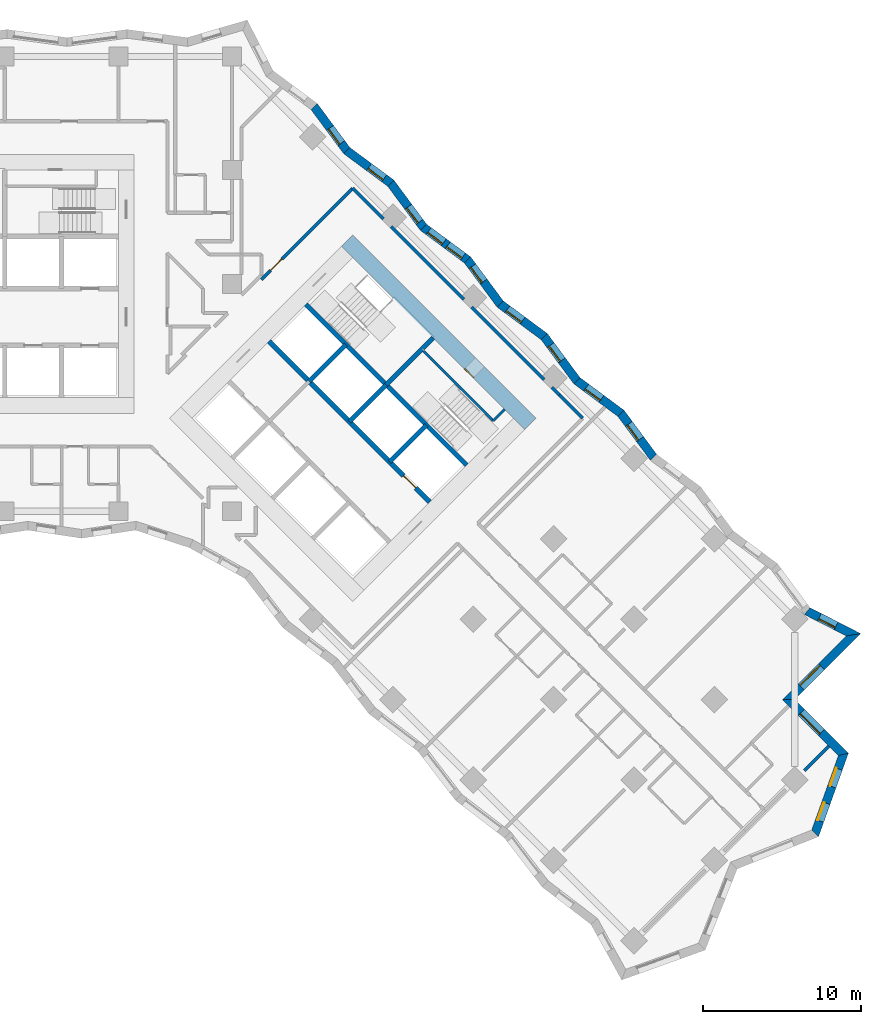
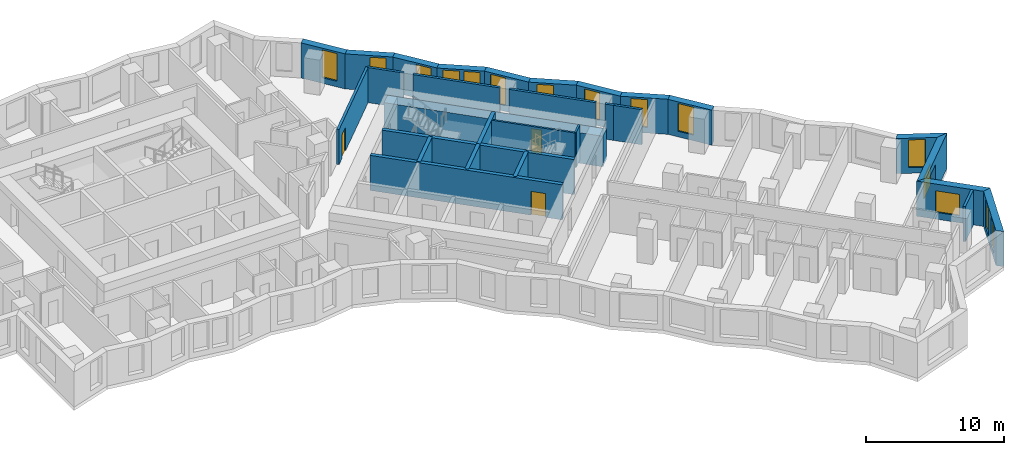
# One storey, part 9 of 12: 30 walls, 15 windows, 3 doors, 18 openings.
"""IFC4 building model written with IfcOpenShell, lengths in metres."""

from ifc_helpers import new_model, si_unit, direction, frame, frame_2d, origin, place, context, subcontext, project, spatial, polyline, rectangle, outline, extrude, material, layer, layer_set, type_object, element, fill, save


model = new_model("IFC4")

# Units and contexts
model_context = context("Model", 3, precision=1e-05, world=origin(), true_north=direction((0.0, 1.0)))
body_context = subcontext(model_context, "Body", "Model", "MODEL_VIEW")
ifc_project = project(units=[si_unit("LENGTHUNIT", "METRE"), si_unit("AREAUNIT", "SQUARE_METRE"), si_unit("VOLUMEUNIT", "CUBIC_METRE"), si_unit("PLANEANGLEUNIT", "RADIAN"), si_unit("MASSUNIT", "GRAM", prefix="KILO")], contexts=[model_context])

# Site, building, storey
site_placement = place(None, origin())
site = spatial("IfcSite", under=ifc_project, at=site_placement, CompositionType="ELEMENT")
building_placement = place(site_placement, origin())
building = spatial("IfcBuilding", under=site, at=building_placement, Name="Windrow Commons", CompositionType="ELEMENT")
storey_placement = place(building_placement, frame((0.0, 0.0, 50.8)))
storey = spatial("IfcBuildingStorey", under=building, at=storey_placement, Name="L13", CompositionType="ELEMENT", Elevation=50.8)

# Wall, openings, windows
ifc_material_1 = material(Name="Brick masonry, red clay brick", Category="masonry")
ifc_layer_1 = layer(ifc_material_1, 0.55)
ifc_layer_set_1 = layer_set([ifc_layer_1], Name="Brick facade wall 550")
wall_type_1 = type_object("IfcWallType", Name="Brick facade wall 550", PredefinedType="SOLIDWALL", material=ifc_layer_set_1)
wall_1_placement = place(storey_placement, frame((116.1217, 22.7987, 0.0), z_axis=(0.0, 0.0, 1.0), x_axis=(0.3371641743, 0.9414458665, 0.0)))
wall_1 = element("IfcWall", 1, at=wall_1_placement, inside=storey, type_object=wall_type_1, Name="Brick facade wall L13 4", PredefinedType="SOLIDWALL", context=body_context, shape_type="SweptSolid", body=[
    extrude(outline(polyline([(-0.1245, -0.275), (5.4921, -0.275), (5.1437, 0.275), (0.1245, 0.275), (-0.1245, -0.275)])), origin(), (0.0, 0.0, 1.0), 3.1),
])
opening_1_placement = place(wall_1_placement, frame((0.8376, 0.0, 0.5)))
opening_1 = element("IfcOpeningElement", 2, at=opening_1_placement, cuts=wall_1, Name="Opening W7D", PredefinedType="OPENING", context=body_context, shape_type="SweptSolid", body=[
    extrude(rectangle(XDim=1.2, YDim=2.45, at=frame_2d((0.6, 1.225))), frame((0.0, 0.285, 0.0), z_axis=(0.0, -1.0, 0.0), x_axis=(1.0, 0.0, 0.0)), (0.0, 0.0, 1.0), 0.57),
])
opening_2_placement = place(wall_1_placement, frame((3.1472, 0.0, 0.5)))
opening_2 = element("IfcOpeningElement", 3, at=opening_2_placement, cuts=wall_1, Name="Opening W7D", PredefinedType="OPENING", context=body_context, shape_type="SweptSolid", body=[
    extrude(rectangle(XDim=1.2, YDim=2.45, at=frame_2d((0.6, 1.225))), frame((0.0, 0.285, 0.0), z_axis=(0.0, -1.0, 0.0), x_axis=(1.0, 0.0, 0.0)), (0.0, 0.0, 1.0), 0.57),
])
ifc_material_2 = material(Name="Clear float glass in anodised aluminium frame", Category="aluminium")
window_type_1 = type_object("IfcWindowType", Name="Window W7 notch 1200x2450", PartitioningType="SINGLE_PANEL", PredefinedType="WINDOW", material=ifc_material_2)
window_1_placement = place(opening_1_placement, origin())
window_1 = element("IfcWindow", 4, at=window_1_placement, inside=storey, type_object=window_type_1, Name="Window L13 4.1", OverallHeight=2.45, OverallWidth=1.2, PartitioningType="SINGLE_PANEL", PredefinedType="WINDOW", context=body_context, shape_type="SweptSolid", body=[
    extrude(rectangle(XDim=1.2, YDim=2.45, at=frame_2d((0.6, 1.225))), frame((0.0, 0.155, 0.0), z_axis=(0.0, -1.0, 0.0), x_axis=(1.0, 0.0, 0.0)), (0.0, 0.0, 1.0), 0.06),
])
fill(opening_1, window_1)
window_2_placement = place(opening_2_placement, origin())
window_2 = element("IfcWindow", 5, at=window_2_placement, inside=storey, type_object=window_type_1, Name="Window L13 4.2", OverallHeight=2.45, OverallWidth=1.2, PartitioningType="SINGLE_PANEL", PredefinedType="WINDOW", context=body_context, shape_type="SweptSolid", body=[
    extrude(rectangle(XDim=1.2, YDim=2.45, at=frame_2d((0.6, 1.225))), frame((0.0, 0.155, 0.0), z_axis=(0.0, -1.0, 0.0), x_axis=(1.0, 0.0, 0.0)), (0.0, 0.0, 1.0), 0.06),
])
fill(opening_2, window_2)

# Wall, opening, window
wall_2_placement = place(storey_placement, frame((117.9147, 27.8052, 0.0), z_axis=(0.0, 0.0, 1.0), x_axis=(-0.7071067812, 0.7071067812, 0.0)))
wall_2 = element("IfcWall", 6, at=wall_2_placement, inside=storey, type_object=wall_type_1, Name="Brick facade wall L13 5", PredefinedType="SOLIDWALL", context=body_context, shape_type="SweptSolid", body=[
    extrude(outline(polyline([(-0.1742, -0.275), (4.6258, -0.275), (5.1758, 0.275), (0.1742, 0.275), (-0.1742, -0.275)])), origin(), (0.0, 0.0, 1.0), 3.1),
])
opening_3_placement = place(wall_2_placement, frame((1.9633, 0.0, 0.6)))
opening_3 = element("IfcOpeningElement", 7, at=opening_3_placement, cuts=wall_2, Name="Opening W1L", PredefinedType="OPENING", context=body_context, shape_type="SweptSolid", body=[
    extrude(rectangle(XDim=1.8, YDim=1.9, at=frame_2d((0.9, 0.95))), frame((0.0, 0.285, 0.0), z_axis=(0.0, -1.0, 0.0), x_axis=(1.0, 0.0, 0.0)), (0.0, 0.0, 1.0), 0.57),
])
ifc_material_3 = material(Name="Clear float glass in anodised aluminium frame", Category="aluminium")
window_type_2 = type_object("IfcWindowType", Name="Window W1L bedroom 1800x1900", PartitioningType="SINGLE_PANEL", PredefinedType="WINDOW", material=ifc_material_3)
window_3_placement = place(opening_3_placement, origin())
window_3 = element("IfcWindow", 8, at=window_3_placement, inside=storey, type_object=window_type_2, Name="Window L13 5.1", OverallHeight=1.9, OverallWidth=1.8, PartitioningType="SINGLE_PANEL", PredefinedType="WINDOW", context=body_context, shape_type="SweptSolid", body=[
    extrude(rectangle(XDim=1.8, YDim=1.9, at=frame_2d((0.9, 0.95))), frame((0.0, 0.155, 0.0), z_axis=(0.0, -1.0, 0.0), x_axis=(1.0, 0.0, 0.0)), (0.0, 0.0, 1.0), 0.06),
])
fill(opening_3, window_3)

wall_3_placement = place(storey_placement, frame((114.4493, 31.2706, 0.0), z_axis=(0.0, 0.0, 1.0), x_axis=(0.7070981737, 0.7071153885, 0.0)))
wall_3 = element("IfcWall", 9, at=wall_3_placement, inside=storey, type_object=wall_type_1, Name="Brick facade wall L13 6", PredefinedType="SOLIDWALL", context=body_context, shape_type="SweptSolid", body=[
    extrude(outline(polyline([(0.275, -0.275), (6.187, -0.275), (5.4309, 0.275), (-0.275, 0.275), (0.275, -0.275)])), origin(), (0.0, 0.0, 1.0), 3.1),
])
opening_4_placement = place(wall_3_placement, frame((1.1375, 0.0, 0.6)))
opening_4 = element("IfcOpeningElement", 10, at=opening_4_placement, cuts=wall_3, Name="Opening W1L", PredefinedType="OPENING", context=body_context, shape_type="SweptSolid", body=[
    extrude(rectangle(XDim=1.8, YDim=1.9, at=frame_2d((0.9, 0.95))), frame((0.0, 0.285, 0.0), z_axis=(0.0, -1.0, 0.0), x_axis=(1.0, 0.0, 0.0)), (0.0, 0.0, 1.0), 0.57),
])
window_4_placement = place(opening_4_placement, origin())
window_4 = element("IfcWindow", 11, at=window_4_placement, inside=storey, type_object=window_type_2, Name="Window L13 6.1", OverallHeight=1.9, OverallWidth=1.8, PartitioningType="SINGLE_PANEL", PredefinedType="WINDOW", context=body_context, shape_type="SweptSolid", body=[
    extrude(rectangle(XDim=1.8, YDim=1.9, at=frame_2d((0.9, 0.95))), frame((0.0, 0.155, 0.0), z_axis=(0.0, -1.0, 0.0), x_axis=(1.0, 0.0, 0.0)), (0.0, 0.0, 1.0), 0.06),
])
fill(opening_4, window_4)

wall_4_placement = place(storey_placement, frame((118.5568, 35.3782, 0.0), z_axis=(0.0, 0.0, 1.0), x_axis=(-0.8905171602, 0.4549496538, 0.0)))
wall_4 = element("IfcWall", 12, at=wall_4_placement, inside=storey, type_object=wall_type_1, Name="Brick facade wall L13 7", PredefinedType="SOLIDWALL", context=body_context, shape_type="SweptSolid", body=[
    extrude(outline(polyline([(-0.3781, -0.275), (3.2323, -0.275), (3.3614, 0.275), (0.3781, 0.275), (-0.3781, -0.275)])), origin(), (0.0, 0.0, 1.0), 3.1),
])
opening_5_placement = place(wall_4_placement, frame((1.2375, 0.0, 0.5)))
opening_5 = element("IfcOpeningElement", 13, at=opening_5_placement, cuts=wall_4, Name="Opening W7D", PredefinedType="OPENING", context=body_context, shape_type="SweptSolid", body=[
    extrude(rectangle(XDim=1.2, YDim=2.45, at=frame_2d((0.6, 1.225))), frame((0.0, 0.285, 0.0), z_axis=(0.0, -1.0, 0.0), x_axis=(1.0, 0.0, 0.0)), (0.0, 0.0, 1.0), 0.57),
])
window_5_placement = place(opening_5_placement, origin())
window_5 = element("IfcWindow", 14, at=window_5_placement, inside=storey, type_object=window_type_1, Name="Window L13 7.1", OverallHeight=2.45, OverallWidth=1.2, PartitioningType="SINGLE_PANEL", PredefinedType="WINDOW", context=body_context, shape_type="SweptSolid", body=[
    extrude(rectangle(XDim=1.2, YDim=2.45, at=frame_2d((0.6, 1.225))), frame((0.0, 0.155, 0.0), z_axis=(0.0, -1.0, 0.0), x_axis=(1.0, 0.0, 0.0)), (0.0, 0.0, 1.0), 0.06),
])
fill(opening_5, window_5)

wall_5_placement = place(storey_placement, frame((105.8917, 46.6122, 0.0), z_axis=(0.0, 0.0, 1.0), x_axis=(-0.5951283843, 0.8036306404, 0.0)))
wall_5 = element("IfcWall", 15, at=wall_5_placement, inside=storey, type_object=wall_type_1, Name="Brick facade wall L13 12", PredefinedType="SOLIDWALL", context=body_context, shape_type="SweptSolid", body=[
    extrude(outline(polyline([(0.041, -0.275), (3.5138, -0.275), (3.4318, 0.275), (-0.041, 0.275), (0.041, -0.275)])), origin(), (0.0, 0.0, 1.0), 3.1),
])
opening_6_placement = place(wall_5_placement, frame((1.4333, 0.0, 0.5)))
opening_6 = element("IfcOpeningElement", 16, at=opening_6_placement, cuts=wall_5, Name="Opening W7D", PredefinedType="OPENING", context=body_context, shape_type="SweptSolid", body=[
    extrude(rectangle(XDim=1.2, YDim=2.45, at=frame_2d((0.6, 1.225))), frame((0.0, 0.285, 0.0), z_axis=(0.0, -1.0, 0.0), x_axis=(1.0, 0.0, 0.0)), (0.0, 0.0, 1.0), 0.57),
])
window_6_placement = place(opening_6_placement, origin())
window_6 = element("IfcWindow", 17, at=window_6_placement, inside=storey, type_object=window_type_1, Name="Window L13 12.1", OverallHeight=2.45, OverallWidth=1.2, PartitioningType="SINGLE_PANEL", PredefinedType="WINDOW", context=body_context, shape_type="SweptSolid", body=[
    extrude(rectangle(XDim=1.2, YDim=2.45, at=frame_2d((0.6, 1.225))), frame((0.0, 0.155, 0.0), z_axis=(0.0, -1.0, 0.0), x_axis=(1.0, 0.0, 0.0)), (0.0, 0.0, 1.0), 0.06),
])
fill(opening_6, window_6)

wall_6_placement = place(storey_placement, frame((103.8249, 49.4031, 0.0), z_axis=(0.0, 0.0, 1.0), x_axis=(-0.8036444119, 0.5951097875, 0.0)))
wall_6 = element("IfcWall", 18, at=wall_6_placement, inside=storey, type_object=wall_type_1, Name="Brick facade wall L13 13", PredefinedType="SOLIDWALL", context=body_context, shape_type="SweptSolid", body=[
    extrude(outline(polyline([(-0.041, -0.275), (3.4318, -0.275), (3.5138, 0.275), (0.041, 0.275), (-0.041, -0.275)])), origin(), (0.0, 0.0, 1.0), 3.1),
])
opening_7_placement = place(wall_6_placement, frame((1.5373, 0.0, 0.5)))
opening_7 = element("IfcOpeningElement", 19, at=opening_7_placement, cuts=wall_6, Name="Opening W7D", PredefinedType="OPENING", context=body_context, shape_type="SweptSolid", body=[
    extrude(rectangle(XDim=1.2, YDim=2.45, at=frame_2d((0.6, 1.225))), frame((0.0, 0.285, 0.0), z_axis=(0.0, -1.0, 0.0), x_axis=(1.0, 0.0, 0.0)), (0.0, 0.0, 1.0), 0.57),
])
window_7_placement = place(opening_7_placement, origin())
window_7 = element("IfcWindow", 20, at=window_7_placement, inside=storey, type_object=window_type_1, Name="Window L13 13.1", OverallHeight=2.45, OverallWidth=1.2, PartitioningType="SINGLE_PANEL", PredefinedType="WINDOW", context=body_context, shape_type="SweptSolid", body=[
    extrude(rectangle(XDim=1.2, YDim=2.45, at=frame_2d((0.6, 1.225))), frame((0.0, 0.155, 0.0), z_axis=(0.0, -1.0, 0.0), x_axis=(1.0, 0.0, 0.0)), (0.0, 0.0, 1.0), 0.06),
])
fill(opening_7, window_7)

wall_7_placement = place(storey_placement, frame((101.034, 51.4698, 0.0), z_axis=(0.0, 0.0, 1.0), x_axis=(-0.5951097875, 0.8036444119, 0.0)))
wall_7 = element("IfcWall", 21, at=wall_7_placement, inside=storey, type_object=wall_type_1, Name="Brick facade wall L13 14", PredefinedType="SOLIDWALL", context=body_context, shape_type="SweptSolid", body=[
    extrude(outline(polyline([(0.041, -0.275), (3.5138, -0.275), (3.4318, 0.275), (-0.041, 0.275), (0.041, -0.275)])), origin(), (0.0, 0.0, 1.0), 3.1),
])
opening_8_placement = place(wall_7_placement, frame((1.6003, 0.0, 0.5)))
opening_8 = element("IfcOpeningElement", 22, at=opening_8_placement, cuts=wall_7, Name="Opening W7D", PredefinedType="OPENING", context=body_context, shape_type="SweptSolid", body=[
    extrude(rectangle(XDim=1.2, YDim=2.45, at=frame_2d((0.6, 1.225))), frame((0.0, 0.285, 0.0), z_axis=(0.0, -1.0, 0.0), x_axis=(1.0, 0.0, 0.0)), (0.0, 0.0, 1.0), 0.57),
])
window_8_placement = place(opening_8_placement, origin())
window_8 = element("IfcWindow", 23, at=window_8_placement, inside=storey, type_object=window_type_1, Name="Window L13 14.1", OverallHeight=2.45, OverallWidth=1.2, PartitioningType="SINGLE_PANEL", PredefinedType="WINDOW", context=body_context, shape_type="SweptSolid", body=[
    extrude(rectangle(XDim=1.2, YDim=2.45, at=frame_2d((0.6, 1.225))), frame((0.0, 0.155, 0.0), z_axis=(0.0, -1.0, 0.0), x_axis=(1.0, 0.0, 0.0)), (0.0, 0.0, 1.0), 0.06),
])
fill(opening_8, window_8)

wall_8_placement = place(storey_placement, frame((98.9673, 54.2607, 0.0), z_axis=(0.0, 0.0, 1.0), x_axis=(-0.8036306404, 0.5951283843, 0.0)))
wall_8 = element("IfcWall", 24, at=wall_8_placement, inside=storey, type_object=wall_type_1, Name="Brick facade wall L13 15", PredefinedType="SOLIDWALL", context=body_context, shape_type="SweptSolid", body=[
    extrude(outline(polyline([(-0.041, -0.275), (3.4318, -0.275), (3.5138, 0.275), (0.041, 0.275), (-0.041, -0.275)])), origin(), (0.0, 0.0, 1.0), 3.1),
])
opening_9_placement = place(wall_8_placement, frame((1.7043, 0.0, 0.5)))
opening_9 = element("IfcOpeningElement", 25, at=opening_9_placement, cuts=wall_8, Name="Opening W7D", PredefinedType="OPENING", context=body_context, shape_type="SweptSolid", body=[
    extrude(rectangle(XDim=1.2, YDim=2.45, at=frame_2d((0.6, 1.225))), frame((0.0, 0.285, 0.0), z_axis=(0.0, -1.0, 0.0), x_axis=(1.0, 0.0, 0.0)), (0.0, 0.0, 1.0), 0.57),
])
window_9_placement = place(opening_9_placement, origin())
window_9 = element("IfcWindow", 26, at=window_9_placement, inside=storey, type_object=window_type_1, Name="Window L13 15.1", OverallHeight=2.45, OverallWidth=1.2, PartitioningType="SINGLE_PANEL", PredefinedType="WINDOW", context=body_context, shape_type="SweptSolid", body=[
    extrude(rectangle(XDim=1.2, YDim=2.45, at=frame_2d((0.6, 1.225))), frame((0.0, 0.155, 0.0), z_axis=(0.0, -1.0, 0.0), x_axis=(1.0, 0.0, 0.0)), (0.0, 0.0, 1.0), 0.06),
])
fill(opening_9, window_9)

wall_9_placement = place(storey_placement, frame((96.1764, 56.3275, 0.0), z_axis=(0.0, 0.0, 1.0), x_axis=(-0.5951235593, 0.8036342136, 0.0)))
wall_9 = element("IfcWall", 27, at=wall_9_placement, inside=storey, type_object=wall_type_1, Name="Brick facade wall L13 16", PredefinedType="SOLIDWALL", context=body_context, shape_type="SweptSolid", body=[
    extrude(outline(polyline([(0.041, -0.275), (3.5138, -0.275), (3.4318, 0.275), (-0.041, 0.275), (0.041, -0.275)])), origin(), (0.0, 0.0, 1.0), 3.1),
])
opening_10_placement = place(wall_9_placement, frame((1.7673, 0.0, 0.5)))
opening_10 = element("IfcOpeningElement", 28, at=opening_10_placement, cuts=wall_9, Name="Opening W7D", PredefinedType="OPENING", context=body_context, shape_type="SweptSolid", body=[
    extrude(rectangle(XDim=1.2, YDim=2.45, at=frame_2d((0.6, 1.225))), frame((0.0, 0.285, 0.0), z_axis=(0.0, -1.0, 0.0), x_axis=(1.0, 0.0, 0.0)), (0.0, 0.0, 1.0), 0.57),
])
window_10_placement = place(opening_10_placement, origin())
window_10 = element("IfcWindow", 29, at=window_10_placement, inside=storey, type_object=window_type_1, Name="Window L13 16.1", OverallHeight=2.45, OverallWidth=1.2, PartitioningType="SINGLE_PANEL", PredefinedType="WINDOW", context=body_context, shape_type="SweptSolid", body=[
    extrude(rectangle(XDim=1.2, YDim=2.45, at=frame_2d((0.6, 1.225))), frame((0.0, 0.155, 0.0), z_axis=(0.0, -1.0, 0.0), x_axis=(1.0, 0.0, 0.0)), (0.0, 0.0, 1.0), 0.06),
])
fill(opening_10, window_10)

# Wall, openings, windows
wall_10_placement = place(storey_placement, frame((94.1097, 59.1183, 0.0), z_axis=(0.0, 0.0, 1.0), x_axis=(-0.8036306404, 0.5951283843, 0.0)))
wall_10 = element("IfcWall", 30, at=wall_10_placement, inside=storey, type_object=wall_type_1, Name="Brick facade wall L13 17", PredefinedType="SOLIDWALL", context=body_context, shape_type="SweptSolid", body=[
    extrude(outline(polyline([(-0.041, -0.275), (3.4318, -0.275), (3.5138, 0.275), (0.041, 0.275), (-0.041, -0.275)])), origin(), (0.0, 0.0, 1.0), 3.1),
])
opening_11_placement = place(wall_10_placement, frame((0.3554, 0.0, 0.5)))
opening_11 = element("IfcOpeningElement", 31, at=opening_11_placement, cuts=wall_10, Name="Opening W7D", PredefinedType="OPENING", context=body_context, shape_type="SweptSolid", body=[
    extrude(rectangle(XDim=1.2, YDim=2.45, at=frame_2d((0.6, 1.225))), frame((0.0, 0.285, 0.0), z_axis=(0.0, -1.0, 0.0), x_axis=(1.0, 0.0, 0.0)), (0.0, 0.0, 1.0), 0.57),
])
opening_12_placement = place(wall_10_placement, frame((1.8713, 0.0, 0.5)))
opening_12 = element("IfcOpeningElement", 32, at=opening_12_placement, cuts=wall_10, Name="Opening W7D", PredefinedType="OPENING", context=body_context, shape_type="SweptSolid", body=[
    extrude(rectangle(XDim=1.2, YDim=2.45, at=frame_2d((0.6, 1.225))), frame((0.0, 0.285, 0.0), z_axis=(0.0, -1.0, 0.0), x_axis=(1.0, 0.0, 0.0)), (0.0, 0.0, 1.0), 0.57),
])
window_11_placement = place(opening_11_placement, origin())
window_11 = element("IfcWindow", 33, at=window_11_placement, inside=storey, type_object=window_type_1, Name="Window L13 17.1", OverallHeight=2.45, OverallWidth=1.2, PartitioningType="SINGLE_PANEL", PredefinedType="WINDOW", context=body_context, shape_type="SweptSolid", body=[
    extrude(rectangle(XDim=1.2, YDim=2.45, at=frame_2d((0.6, 1.225))), frame((0.0, 0.155, 0.0), z_axis=(0.0, -1.0, 0.0), x_axis=(1.0, 0.0, 0.0)), (0.0, 0.0, 1.0), 0.06),
])
fill(opening_11, window_11)
window_12_placement = place(opening_12_placement, origin())
window_12 = element("IfcWindow", 34, at=window_12_placement, inside=storey, type_object=window_type_1, Name="Window L13 17.2", OverallHeight=2.45, OverallWidth=1.2, PartitioningType="SINGLE_PANEL", PredefinedType="WINDOW", context=body_context, shape_type="SweptSolid", body=[
    extrude(rectangle(XDim=1.2, YDim=2.45, at=frame_2d((0.6, 1.225))), frame((0.0, 0.155, 0.0), z_axis=(0.0, -1.0, 0.0), x_axis=(1.0, 0.0, 0.0)), (0.0, 0.0, 1.0), 0.06),
])
fill(opening_12, window_12)

# Wall, opening, window
wall_11_placement = place(storey_placement, frame((91.3188, 61.1851, 0.0), z_axis=(0.0, 0.0, 1.0), x_axis=(-0.5951235593, 0.8036342136, 0.0)))
wall_11 = element("IfcWall", 35, at=wall_11_placement, inside=storey, type_object=wall_type_1, Name="Brick facade wall L13 18", PredefinedType="SOLIDWALL", context=body_context, shape_type="SweptSolid", body=[
    extrude(outline(polyline([(0.041, -0.275), (3.5138, -0.275), (3.4318, 0.275), (-0.041, 0.275), (0.041, -0.275)])), origin(), (0.0, 0.0, 1.0), 3.1),
])
opening_13_placement = place(wall_11_placement, frame((0.4183, 0.0, 0.5)))
opening_13 = element("IfcOpeningElement", 36, at=opening_13_placement, cuts=wall_11, Name="Opening W7D", PredefinedType="OPENING", context=body_context, shape_type="SweptSolid", body=[
    extrude(rectangle(XDim=1.2, YDim=2.45, at=frame_2d((0.6, 1.225))), frame((0.0, 0.285, 0.0), z_axis=(0.0, -1.0, 0.0), x_axis=(1.0, 0.0, 0.0)), (0.0, 0.0, 1.0), 0.57),
])
window_13_placement = place(opening_13_placement, origin())
window_13 = element("IfcWindow", 37, at=window_13_placement, inside=storey, type_object=window_type_1, Name="Window L13 18.1", OverallHeight=2.45, OverallWidth=1.2, PartitioningType="SINGLE_PANEL", PredefinedType="WINDOW", context=body_context, shape_type="SweptSolid", body=[
    extrude(rectangle(XDim=1.2, YDim=2.45, at=frame_2d((0.6, 1.225))), frame((0.0, 0.155, 0.0), z_axis=(0.0, -1.0, 0.0), x_axis=(1.0, 0.0, 0.0)), (0.0, 0.0, 1.0), 0.06),
])
fill(opening_13, window_13)

wall_12_placement = place(storey_placement, frame((89.2521, 63.9759, 0.0), z_axis=(0.0, 0.0, 1.0), x_axis=(-0.8036306404, 0.5951283843, 0.0)))
wall_12 = element("IfcWall", 38, at=wall_12_placement, inside=storey, type_object=wall_type_1, Name="Brick facade wall L13 19", PredefinedType="SOLIDWALL", context=body_context, shape_type="SweptSolid", body=[
    extrude(outline(polyline([(-0.041, -0.275), (3.4318, -0.275), (3.5138, 0.275), (0.041, 0.275), (-0.041, -0.275)])), origin(), (0.0, 0.0, 1.0), 3.1),
])
opening_14_placement = place(wall_12_placement, frame((0.5223, 0.0, 0.5)))
opening_14 = element("IfcOpeningElement", 39, at=opening_14_placement, cuts=wall_12, Name="Opening W7D", PredefinedType="OPENING", context=body_context, shape_type="SweptSolid", body=[
    extrude(rectangle(XDim=1.2, YDim=2.45, at=frame_2d((0.6, 1.225))), frame((0.0, 0.285, 0.0), z_axis=(0.0, -1.0, 0.0), x_axis=(1.0, 0.0, 0.0)), (0.0, 0.0, 1.0), 0.57),
])
window_14_placement = place(opening_14_placement, origin())
window_14 = element("IfcWindow", 40, at=window_14_placement, inside=storey, type_object=window_type_1, Name="Window L13 19.1", OverallHeight=2.45, OverallWidth=1.2, PartitioningType="SINGLE_PANEL", PredefinedType="WINDOW", context=body_context, shape_type="SweptSolid", body=[
    extrude(rectangle(XDim=1.2, YDim=2.45, at=frame_2d((0.6, 1.225))), frame((0.0, 0.155, 0.0), z_axis=(0.0, -1.0, 0.0), x_axis=(1.0, 0.0, 0.0)), (0.0, 0.0, 1.0), 0.06),
])
fill(opening_14, window_14)

wall_13_placement = place(storey_placement, frame((86.4612, 66.0427, 0.0), z_axis=(0.0, 0.0, 1.0), x_axis=(-0.5951421559, 0.8036204416, 0.0)))
wall_13 = element("IfcWall", 41, at=wall_13_placement, inside=storey, type_object=wall_type_1, Name="Brick facade wall L13 20", PredefinedType="SOLIDWALL", context=body_context, shape_type="SweptSolid", body=[
    extrude(outline(polyline([(0.041, -0.275), (3.5138, -0.275), (3.4318, 0.275), (-0.041, 0.275), (0.041, -0.275)])), origin(), (0.0, 0.0, 1.0), 3.1),
])
opening_15_placement = place(wall_13_placement, frame((0.5853, 0.0, 0.5)))
opening_15 = element("IfcOpeningElement", 42, at=opening_15_placement, cuts=wall_13, Name="Opening W7D", PredefinedType="OPENING", context=body_context, shape_type="SweptSolid", body=[
    extrude(rectangle(XDim=1.2, YDim=2.45, at=frame_2d((0.6, 1.225))), frame((0.0, 0.285, 0.0), z_axis=(0.0, -1.0, 0.0), x_axis=(1.0, 0.0, 0.0)), (0.0, 0.0, 1.0), 0.57),
])
window_15_placement = place(opening_15_placement, origin())
window_15 = element("IfcWindow", 43, at=window_15_placement, inside=storey, type_object=window_type_1, Name="Window L13 20.1", OverallHeight=2.45, OverallWidth=1.2, PartitioningType="SINGLE_PANEL", PredefinedType="WINDOW", context=body_context, shape_type="SweptSolid", body=[
    extrude(rectangle(XDim=1.2, YDim=2.45, at=frame_2d((0.6, 1.225))), frame((0.0, 0.155, 0.0), z_axis=(0.0, -1.0, 0.0), x_axis=(1.0, 0.0, 0.0)), (0.0, 0.0, 1.0), 0.06),
])
fill(opening_15, window_15)

# Wall, opening, door
ifc_material_4 = material(Name="Blockwork partition", Category="masonry")
ifc_layer_2 = layer(ifc_material_4, 0.2)
ifc_layer_set_2 = layer_set([ifc_layer_2], Name="IW-CORRIDOR-200")
wall_type_2 = type_object("IfcWallType", Name="IW-CORRIDOR-200", PredefinedType="PARTITIONING", material=ifc_layer_set_2)
wall_14_placement = place(storey_placement, frame((81.0515, 57.8725, 0.0), z_axis=(0.0, 0.0, 1.0), x_axis=(0.7071067812, 0.7071067812, 0.0)))
wall_14 = element("IfcWall", 44, at=wall_14_placement, inside=storey, type_object=wall_type_2, Name="W-L13-W019", PredefinedType="PARTITIONING", context=body_context, shape_type="SweptSolid", body=[
    extrude(rectangle(XDim=8.1798, YDim=0.2, at=frame_2d((4.0899, 0.0))), origin(), (0.0, 0.0, 1.0), 3.1),
])
opening_16_placement = place(wall_14_placement, frame((0.8234, 0.0, 0.0)))
opening_16 = element("IfcOpeningElement", 45, at=opening_16_placement, cuts=wall_14, Name="Opening D310F", PredefinedType="OPENING", context=body_context, shape_type="SweptSolid", body=[
    extrude(rectangle(XDim=1.0, YDim=2.1, at=frame_2d((0.5, 1.05))), frame((0.0, 0.11, 0.0), z_axis=(0.0, -1.0, 0.0), x_axis=(1.0, 0.0, 0.0)), (0.0, 0.0, 1.0), 0.22),
])
ifc_material_5 = material(Name="Timber door leaf", Category="wood")
door_type_1 = type_object("IfcDoorType", Name="DT-AMENITY-1000", OperationType="SINGLE_SWING_LEFT", PredefinedType="DOOR", material=ifc_material_5)
door_1_placement = place(opening_16_placement, origin())
door_1 = element("IfcDoor", 46, at=door_1_placement, inside=storey, type_object=door_type_1, Name="D-L13-D032", OperationType="SINGLE_SWING_RIGHT", OverallHeight=2.1, OverallWidth=1.0, PredefinedType="DOOR", context=body_context, shape_type="SweptSolid", body=[
    extrude(rectangle(XDim=1.0, YDim=2.1, at=frame_2d((0.5, 1.05))), frame((0.0, 0.025, 0.0), z_axis=(0.0, -1.0, 0.0), x_axis=(1.0, 0.0, 0.0)), (0.0, 0.0, 1.0), 0.05),
])
fill(opening_16, door_1)

# Walls
wall_15_placement = place(storey_placement, frame((89.2712, 61.2152, 0.0), z_axis=(0.0, 0.0, 1.0), x_axis=(0.7071067812, -0.7071067812, 0.0)))
element("IfcWall", 47, at=wall_15_placement, inside=storey, type_object=wall_type_2, Name="W-L13-W023", PredefinedType="PARTITIONING", context=body_context, shape_type="SweptSolid", body=[
    extrude(rectangle(XDim=6.5054, YDim=0.2, at=frame_2d((3.2527, 0.0))), origin(), (0.0, 0.0, 1.0), 3.1),
])
wall_16_placement = place(storey_placement, frame((94.3632, 56.1232, 0.0), z_axis=(0.0, 0.0, 1.0), x_axis=(0.7071067812, -0.7071067812, 0.0)))
element("IfcWall", 48, at=wall_16_placement, inside=storey, type_object=wall_type_2, Name="W-L13-W024", PredefinedType="PARTITIONING", context=body_context, shape_type="SweptSolid", body=[
    extrude(rectangle(XDim=6.5026, YDim=0.2, at=frame_2d((3.2513, 0.0))), origin(), (0.0, 0.0, 1.0), 3.1),
])
wall_17_placement = place(storey_placement, frame((86.8413, 63.6593, 0.0), z_axis=(0.0, 0.0, 1.0), x_axis=(0.7067795096, -0.7074339014, 0.0)))
element("IfcWall", 49, at=wall_17_placement, inside=storey, type_object=wall_type_2, Name="W-L13-W057", PredefinedType="PARTITIONING", context=body_context, shape_type="SweptSolid", body=[
    extrude(rectangle(XDim=2.7506, YDim=0.2, at=frame_2d((1.3753, 0.0))), origin(), (0.0, 0.0, 1.0), 3.1),
])
wall_18_placement = place(storey_placement, frame((99.9177, 50.5737, 0.0), z_axis=(0.0, 0.0, 1.0), x_axis=(0.7075827869, -0.7066304548, 0.0)))
element("IfcWall", 50, at=wall_18_placement, inside=storey, type_object=wall_type_2, Name="W-L13-W098", PredefinedType="PARTITIONING", context=body_context, shape_type="SweptSolid", body=[
    extrude(rectangle(XDim=2.1001, YDim=0.2, at=frame_2d((1.05, 0.0))), origin(), (0.0, 0.0, 1.0), 3.1),
])
wall_19_placement = place(storey_placement, frame((99.4532, 51.0332, 0.0), z_axis=(0.0, 0.0, 1.0), x_axis=(0.7071067812, -0.7071067812, 0.0)))
element("IfcWall", 51, at=wall_19_placement, inside=storey, type_object=wall_type_2, Name="W-L13-W156", PredefinedType="PARTITIONING", context=body_context, shape_type="SweptSolid", body=[
    extrude(rectangle(XDim=0.6534, YDim=0.2, at=frame_2d((0.3267, 0.0))), origin(), (0.0, 0.0, 1.0), 3.1),
])
ifc_material_6 = material(Name="Blockwork partition", Category="masonry")
ifc_layer_3 = layer(ifc_material_6, 0.2)
ifc_layer_set_3 = layer_set([ifc_layer_3], Name="IW-PARTY-200")
wall_type_3 = type_object("IfcWallType", Name="IW-PARTY-200", PredefinedType="PARTITIONING", material=ifc_layer_set_3)
wall_20_placement = place(storey_placement, frame((115.4375, 26.7805, 0.0), z_axis=(0.0, 0.0, 1.0), x_axis=(0.7071067812, 0.7071067812, 0.0)))
element("IfcWall", 52, at=wall_20_placement, inside=storey, type_object=wall_type_3, Name="W-L13-W096", PredefinedType="PARTITIONING", context=body_context, shape_type="SweptSolid", body=[
    extrude(rectangle(XDim=2.2012, YDim=0.2, at=frame_2d((1.1006, 0.0))), origin(), (0.0, 0.0, 1.0), 3.1),
])

# Wall, opening, door
ifc_material_7 = material(Name="Concrete C60/75", Category="concrete")
ifc_layer_4 = layer(ifc_material_7, 1.0)
ifc_layer_set_4 = layer_set([ifc_layer_4], Name="RC CORE WALL 1000 C60/75")
wall_type_4 = type_object("IfcWallType", Name="RC CORE WALL 1000 C60/75", PredefinedType="SHEAR", material=ifc_layer_set_4)
wall_21_placement = place(storey_placement, frame((86.4832, 60.3327, -0.3), z_axis=(0.0, 0.0, 1.0), x_axis=(0.70710983, -0.7071037324, 0.0)))
wall_21 = element("IfcWall", 53, at=wall_21_placement, inside=storey, type_object=wall_type_4, Name="Core B wall outer-N", PredefinedType="SHEAR", context=body_context, shape_type="SweptSolid", body=[
    extrude(rectangle(XDim=16.4, YDim=1.0, at=frame_2d((8.2, 0.0))), origin(), (0.0, 0.0, 1.0), 2.7),
])
opening_17_placement = place(wall_21_placement, frame((11.0, 0.0, 0.3)))
opening_17 = element("IfcOpeningElement", 54, at=opening_17_placement, cuts=wall_21, Name="Opening D9", PredefinedType="OPENING", context=body_context, shape_type="SweptSolid", body=[
    extrude(rectangle(XDim=0.8, YDim=2.1, at=frame_2d((0.4, 1.05))), frame((0.0, 0.51, 0.0), z_axis=(0.0, -1.0, 0.0), x_axis=(1.0, 0.0, 0.0)), (0.0, 0.0, 1.0), 1.02),
])
ifc_material_8 = material(Name="Steel fire door leaf", Category="steel")
door_type_2 = type_object("IfcDoorType", Name="Riser access door 800", OperationType="SINGLE_SWING_LEFT", PredefinedType="DOOR", material=ifc_material_8)
door_2_placement = place(opening_17_placement, origin())
door_2 = element("IfcDoor", 55, at=door_2_placement, inside=storey, type_object=door_type_2, Name="Riser access door", OperationType="SINGLE_SWING_RIGHT", OverallHeight=2.1, OverallWidth=0.8, PredefinedType="DOOR", context=body_context, shape_type="SweptSolid", body=[
    extrude(rectangle(XDim=0.8, YDim=2.1, at=frame_2d((0.4, 1.05))), frame((0.0, -0.44, 0.0), z_axis=(0.0, -1.0, 0.0), x_axis=(1.0, 0.0, 0.0)), (0.0, 0.0, 1.0), 0.05),
])
fill(opening_17, door_2)

# Walls
ifc_material_9 = material(Name="Concrete C60/75", Category="concrete")
ifc_layer_5 = layer(ifc_material_9, 0.3)
ifc_layer_set_5 = layer_set([ifc_layer_5], Name="RC SHAFT WALL 300 C60/75")
wall_type_5 = type_object("IfcWallType", Name="RC SHAFT WALL 300 C60/75", PredefinedType="SOLIDWALL", material=ifc_layer_set_5)
wall_22_placement = place(storey_placement, frame((84.079, 51.4232, 0.0), z_axis=(0.0, 0.0, 1.0), x_axis=(0.7071219326, 0.7070916295, 0.0)))
element("IfcWall", 56, at=wall_22_placement, inside=storey, type_object=wall_type_5, Name="Core B wall shaft-N1", PredefinedType="SOLIDWALL", context=body_context, shape_type="SweptSolid", body=[
    extrude(rectangle(XDim=3.3, YDim=0.3, at=frame_2d((1.65, 0.0))), origin(), (0.0, 0.0, 1.0), 3.1),
])
for number, where, z_axis, x_axis, name in (
    (57, (86.6246, 48.8776, 0.0), (0.0, 0.0, 1.0), (0.7071067812, 0.7071067812, 0.0), "Core B wall shaft-N2"),
    (58, (89.1702, 46.332, 0.0), (0.0, 0.0, 1.0), (0.7071067812, 0.7071067812, 0.0), "Core B wall shaft-N3"),
):
    element("IfcWall", number, at=place(storey_placement, frame(where, z_axis=z_axis, x_axis=x_axis)), inside=storey, type_object=wall_type_5, Name=name, PredefinedType="SOLIDWALL", context=body_context, shape_type="SweptSolid", body=[
        extrude(rectangle(XDim=3.3001, YDim=0.3, at=frame_2d((1.6501, 0.0))), origin(), (0.0, 0.0, 1.0), 3.1),
    ])

# Wall, opening, door
wall_23_placement = place(storey_placement, frame((81.5335, 53.9688, 0.0), z_axis=(0.0, 0.0, 1.0), x_axis=(0.707103309, -0.7071102534, 0.0)))
wall_23 = element("IfcWall", 59, at=wall_23_placement, inside=storey, type_object=wall_type_5, Name="Core B wall lobby-N", PredefinedType="SOLIDWALL", context=body_context, shape_type="SweptSolid", body=[
    extrude(rectangle(XDim=14.4, YDim=0.3, at=frame_2d((7.2, 0.0))), origin(), (0.0, 0.0, 1.0), 3.1),
])
opening_18_placement = place(wall_23_placement, frame((12.05, 0.0, 0.0)))
opening_18 = element("IfcOpeningElement", 60, at=opening_18_placement, cuts=wall_23, Name="Opening LD", PredefinedType="OPENING", context=body_context, shape_type="SweptSolid", body=[
    extrude(rectangle(XDim=1.1, YDim=2.1, at=frame_2d((0.55, 1.05))), frame((0.0, 0.16, 0.0), z_axis=(0.0, -1.0, 0.0), x_axis=(1.0, 0.0, 0.0)), (0.0, 0.0, 1.0), 0.32),
])
ifc_material_10 = material(Name="Stainless steel door leaf", Category="steel")
door_type_3 = type_object("IfcDoorType", Name="Lift landing door 1100", OperationType="SLIDING_TO_LEFT", PredefinedType="DOOR", material=ifc_material_10)
door_3_placement = place(opening_18_placement, origin())
door_3 = element("IfcDoor", 61, at=door_3_placement, inside=storey, type_object=door_type_3, Name="Lift landing door", OperationType="SLIDING_TO_RIGHT", OverallHeight=2.1, OverallWidth=1.1, PredefinedType="DOOR", context=body_context, shape_type="SweptSolid", body=[
    extrude(rectangle(XDim=1.1, YDim=2.1, at=frame_2d((0.55, 1.05))), frame((0.0, 0.025, 0.0), z_axis=(0.0, -1.0, 0.0), x_axis=(1.0, 0.0, 0.0)), (0.0, 0.0, 1.0), 0.05),
])
fill(opening_18, door_3)

# Walls
for number, where, z_axis, x_axis, name in (
    (62, (83.8669, 56.3022, 0.0), (0.0, 0.0, 1.0), (0.7071137256, -0.7070998367, 0.0), "Core B wall stair-S"),
    (63, (88.9581, 51.2111, 0.0), (0.0, 0.0, 1.0), (0.7070998367, -0.7071137256, 0.0), "Core B wall stair-S2"),
):
    element("IfcWall", number, at=place(storey_placement, frame(where, z_axis=z_axis, x_axis=x_axis)), inside=storey, type_object=wall_type_5, Name=name, PredefinedType="SOLIDWALL", context=body_context, shape_type="SweptSolid", body=[
        extrude(rectangle(XDim=7.2, YDim=0.3, at=frame_2d((3.6, 0.0))), origin(), (0.0, 0.0, 1.0), 3.1),
    ])
wall_24_placement = place(storey_placement, frame((88.9581, 51.2111, 0.0), z_axis=(0.0, 0.0, 1.0), x_axis=(0.7071067812, 0.7071067812, 0.0)))
element("IfcWall", 64, at=wall_24_placement, inside=storey, type_object=wall_type_5, Name="Core B wall stair-mid", PredefinedType="SOLIDWALL", context=body_context, shape_type="SweptSolid", body=[
    extrude(rectangle(XDim=4.1999, YDim=0.3, at=frame_2d((2.1, 0.0))), origin(), (0.0, 0.0, 1.0), 3.1),
])
ifc_material_11 = material(Name="Blockwork partition", Category="masonry")
ifc_layer_6 = layer(ifc_material_11, 0.15)
ifc_layer_set_6 = layer_set([ifc_layer_6], Name="Riser partition 150")
wall_type_6 = type_object("IfcWallType", Name="Riser partition 150", PredefinedType="PARTITIONING", material=ifc_layer_set_6)
wall_25_placement = place(storey_placement, frame((91.3127, 53.3536, 0.0), z_axis=(0.0, 0.0, 1.0), x_axis=(0.7071147811, -0.7070987812, 0.0)))
element("IfcWall", 65, at=wall_25_placement, inside=storey, type_object=wall_type_6, Name="W-core-strip-B-L13", PredefinedType="PARTITIONING", context=body_context, shape_type="SweptSolid", body=[
    extrude(rectangle(XDim=6.25, YDim=0.15, at=frame_2d((3.125, 0.0))), origin(), (0.0, 0.0, 1.0), 3.1),
])
wall_26_placement = place(storey_placement, frame((95.7322, 48.9342, 0.0), z_axis=(0.0, 0.0, 1.0), x_axis=(0.7071067812, 0.7071067812, 0.0)))
element("IfcWall", 66, at=wall_26_placement, inside=storey, type_object=wall_type_6, Name="W-core-stripx-B-L13-1", PredefinedType="PARTITIONING", context=body_context, shape_type="SweptSolid", body=[
    extrude(rectangle(XDim=1.0199, YDim=0.15, at=frame_2d((0.51, 0.0))), origin(), (0.0, 0.0, 1.0), 3.1),
])

save(model, "model.ifc")
